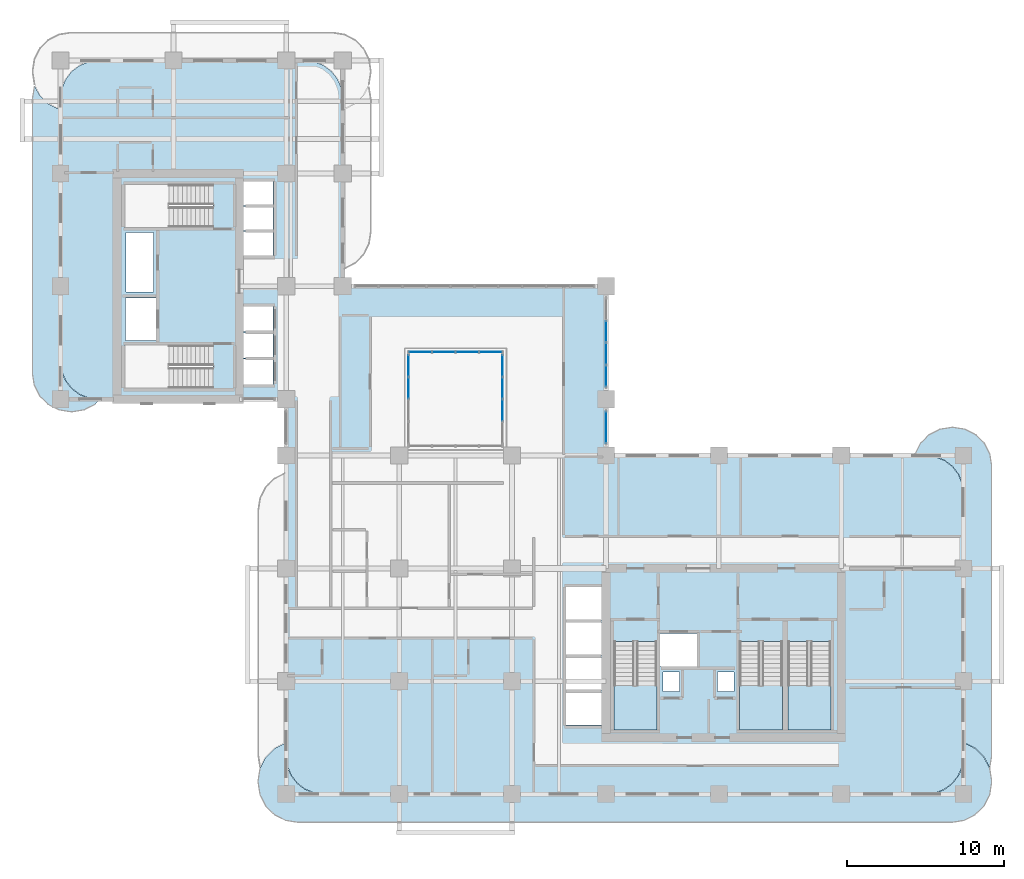
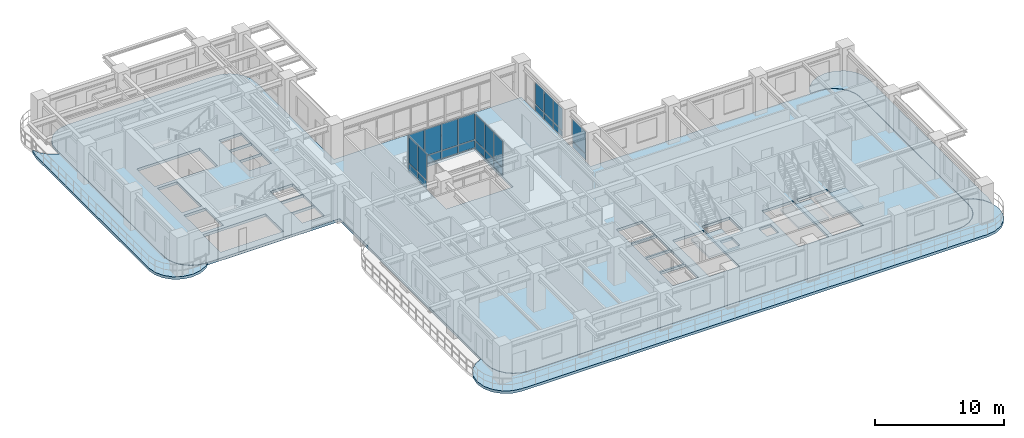
# One storey, part 10 of 22: 26 plates, 7 slabs, 8 elements without a shape of their own.
"""IFC4 building model written with IfcOpenShell, lengths in metres."""

from ifc_helpers import new_model, si_unit, derived_unit, direction, frame, origin, origin_2d, place, context, subcontext, project, spatial, polyline, rectangle, outline, extrude, source, transform, mapped, material, layer, layer_set, type_object, element, aggregate, save


model = new_model("IFC4")

# Units and contexts
model_context = context("Model", 3, precision=1e-05, world=origin(), true_north=direction((0.0, 1.0)))
body_context = subcontext(model_context, "Body", "Model", "MODEL_VIEW")
ifc_project = project(units=[si_unit("LENGTHUNIT", "METRE"), si_unit("AREAUNIT", "SQUARE_METRE"), si_unit("VOLUMEUNIT", "CUBIC_METRE"), si_unit("PLANEANGLEUNIT", "RADIAN"), si_unit("MASSUNIT", "GRAM", prefix="KILO"), si_unit("THERMODYNAMICTEMPERATUREUNIT", "KELVIN"), si_unit("POWERUNIT", "WATT"), derived_unit("THERMALTRANSMITTANCEUNIT", [(si_unit("POWERUNIT", "WATT"), 1), (si_unit("AREAUNIT", "SQUARE_METRE"), -1), (si_unit("THERMODYNAMICTEMPERATUREUNIT", "KELVIN"), -1)])], contexts=[model_context])

# Site, building, storey
site_placement = place(None, origin())
site = spatial("IfcSite", under=ifc_project, at=site_placement, CompositionType="ELEMENT")
building_placement = place(site_placement, origin())
building = spatial("IfcBuilding", under=site, at=building_placement, Name="Zahravan Archway Hotel and Residences", CompositionType="ELEMENT")
storey_placement = place(building_placement, frame((0.0, 0.0, 87.89990234375)))
storey = spatial("IfcBuildingStorey", under=building, at=storey_placement, Name="L21", CompositionType="ELEMENT", Elevation=87.89990234375)

# Slabs
ifc_material_1 = material(Name="Concrete C45/55", Category="concrete")
ifc_layer_1 = layer(ifc_material_1, 0.25, Name="Concrete C45/55", Category="concrete")
ifc_layer_set_1 = layer_set([ifc_layer_1], Name="Concrete C45/55")
slab_type_1 = type_object("IfcSlabType", Name="SLB-BALC-250", PredefinedType="FLOOR", material=ifc_layer_set_1)
slab_1_placement = place(storey_placement, frame((0.0, 0.0, -0.25)))
element("IfcSlab", 1, at=slab_1_placement, inside=storey, type_object=slab_type_1, Name="L21 Wing A South Rounded Balcony Band", PredefinedType="FLOOR", context=body_context, shape_type="SweptSolid", body=[
    extrude(outline(polyline([(57.637939453125, 3.275146484375), (58.348876953125, 2.9130859375), (58.9130859375, 2.348876953125), (59.275146484375, 1.637939453125), (59.39990234375, 0.85009765625), (59.39990234375, 0.75), (59.275146484375, -0.0380859375), (58.9130859375, -0.748779296875), (58.348876953125, -1.31298828125), (57.637939453125, -1.67529296875), (56.85009765625, -1.800048828125), (15.14990234375, -1.800048828125), (14.362060546875, -1.67529296875), (13.651123046875, -1.31298828125), (13.0869140625, -0.748779296875), (12.724853515625, -0.0380859375), (12.60009765625, 0.75), (12.60009765625, 0.85009765625), (12.724853515625, 1.637939453125), (13.0869140625, 2.348876953125), (13.651123046875, 2.9130859375), (14.362060546875, 3.275146484375), (14.3798828125, 3.278076171875), (14.3798828125, 2.39990234375), (14.380126953125, 2.3974609375), (14.4619140625, 1.776123046875), (14.46240234375, 1.7744140625), (14.462646484375, 1.772705078125), (14.46337890625, 1.77099609375), (14.702880859375, 1.1923828125), (14.703857421875, 1.19091796875), (14.70458984375, 1.189208984375), (14.70556640625, 1.187744140625), (15.0869140625, 0.690673828125), (15.088134765625, 0.689453125), (15.08935546875, 0.688232421875), (15.0908203125, 0.68701171875), (15.587890625, 0.3056640625), (15.58935546875, 0.3046875), (15.5908203125, 0.3037109375), (15.59228515625, 0.302978515625), (16.171142578125, 0.063232421875), (16.1728515625, 0.062744140625), (16.174560546875, 0.062255859375), (16.17626953125, 0.06201171875), (16.79736328125, -0.019775390625), (16.800048828125, -0.02001953125), (55.199951171875, -0.02001953125), (55.20263671875, -0.019775390625), (55.82373046875, 0.06201171875), (55.825439453125, 0.062255859375), (55.8271484375, 0.062744140625), (55.828857421875, 0.063232421875), (56.40771484375, 0.302978515625), (56.4091796875, 0.3037109375), (56.41064453125, 0.3046875), (56.412109375, 0.3056640625), (56.9091796875, 0.68701171875), (56.91064453125, 0.688232421875), (56.911865234375, 0.689453125), (56.9130859375, 0.690673828125), (57.29443359375, 1.187744140625), (57.29541015625, 1.189208984375), (57.296142578125, 1.19091796875), (57.297119140625, 1.1923828125), (57.53662109375, 1.77099609375), (57.537353515625, 1.772705078125), (57.53759765625, 1.7744140625), (57.5380859375, 1.776123046875), (57.619873046875, 2.3974609375), (57.6201171875, 2.39990234375), (57.6201171875, 3.278076171875), (57.637939453125, 3.275146484375)])), origin(), (0.0, 0.0, 1.0), 0.25),
])
slab_2_placement = place(storey_placement, frame((0.0, 0.0, -0.25)))
element("IfcSlab", 2, at=slab_2_placement, inside=storey, type_object=slab_type_1, Name="L21 Wing A East Rounded Balcony Band", PredefinedType="FLOOR", context=body_context, shape_type="SweptSolid", body=[
    extrude(outline(polyline([(54.52001953125, 21.70703125), (54.867919921875, 22.39013671875), (55.409912109375, 22.93212890625), (56.093017578125, 23.280029296875), (56.85009765625, 23.39990234375), (56.949951171875, 23.39990234375), (57.70703125, 23.280029296875), (58.39013671875, 22.93212890625), (58.93212890625, 22.39013671875), (59.280029296875, 21.70703125), (59.39990234375, 20.949951171875), (59.39990234375, 2.449951171875), (59.280029296875, 1.69287109375), (59.27490234375, 1.6826171875), (58.930908203125, 2.35791015625), (58.9296875, 2.35986328125), (58.928466796875, 2.361572265625), (58.927001953125, 2.363037109375), (58.363037109375, 2.927001953125), (58.361572265625, 2.928466796875), (58.35986328125, 2.9296875), (58.35791015625, 2.930908203125), (57.647216796875, 3.29296875), (57.645263671875, 3.2939453125), (57.643310546875, 3.29443359375), (57.64111328125, 3.294921875), (57.623046875, 3.2978515625), (57.62109375, 3.298095703125), (57.6201171875, 3.298095703125), (57.6201171875, 19.199951171875), (57.619873046875, 19.20263671875), (57.5380859375, 19.82373046875), (57.53759765625, 19.825439453125), (57.537353515625, 19.8271484375), (57.53662109375, 19.828857421875), (57.297119140625, 20.40771484375), (57.296142578125, 20.4091796875), (57.29541015625, 20.41064453125), (57.29443359375, 20.412109375), (56.9130859375, 20.9091796875), (56.911865234375, 20.91064453125), (56.91064453125, 20.911865234375), (56.9091796875, 20.9130859375), (56.412109375, 21.29443359375), (56.41064453125, 21.29541015625), (56.4091796875, 21.296142578125), (56.40771484375, 21.297119140625), (55.828857421875, 21.53662109375), (55.8271484375, 21.537353515625), (55.825439453125, 21.53759765625), (55.82373046875, 21.5380859375), (55.20263671875, 21.619873046875), (55.199951171875, 21.6201171875), (54.506103515625, 21.6201171875), (54.52001953125, 21.70703125)])), origin(), (0.0, 0.0, 1.0), 0.25),
])
slab_3_placement = place(storey_placement, frame((0.0, 0.0, -0.25)))
element("IfcSlab", 3, at=slab_3_placement, inside=storey, type_object=slab_type_1, Name="L21 Wing B West Rounded Balcony Band", PredefinedType="FLOOR", context=body_context, shape_type="SweptSolid", body=[
    extrude(outline(polyline([(2.190185546875, 24.867919921875), (1.507080078125, 24.52001953125), (0.75, 24.39990234375), (0.64990234375, 24.39990234375), (-0.107177734375, 24.52001953125), (-0.7900390625, 24.867919921875), (-1.33203125, 25.409912109375), (-1.68017578125, 26.093017578125), (-1.800048828125, 26.85009765625), (-1.800048828125, 44.35009765625), (-1.68017578125, 45.107177734375), (-1.64404296875, 45.177978515625), (-1.349853515625, 44.600830078125), (-1.348876953125, 44.59912109375), (-1.34765625, 44.597412109375), (-1.34619140625, 44.595703125), (-0.80419921875, 44.0537109375), (-0.802734375, 44.052490234375), (-0.801025390625, 44.051025390625), (-0.79931640625, 44.050048828125), (-0.1162109375, 43.7021484375), (-0.1142578125, 43.701171875), (-0.1123046875, 43.70068359375), (-0.110107421875, 43.7001953125), (-0.023193359375, 43.686279296875), (-0.021240234375, 43.68603515625), (-0.02001953125, 43.68603515625), (-0.02001953125, 27.60009765625), (-0.019775390625, 27.597412109375), (0.06201171875, 26.976318359375), (0.062255859375, 26.974609375), (0.062744140625, 26.972900390625), (0.063232421875, 26.97119140625), (0.302978515625, 26.392333984375), (0.3037109375, 26.390869140625), (0.3046875, 26.389404296875), (0.3056640625, 26.3876953125), (0.68701171875, 25.890625), (0.688232421875, 25.889404296875), (0.689453125, 25.88818359375), (0.690673828125, 25.886962890625), (1.187744140625, 25.505615234375), (1.189208984375, 25.504638671875), (1.19091796875, 25.50390625), (1.1923828125, 25.5029296875), (1.77099609375, 25.26318359375), (1.772705078125, 25.2626953125), (1.7744140625, 25.26220703125), (1.776123046875, 25.261962890625), (2.3974609375, 25.18017578125), (2.39990234375, 25.179931640625), (2.502197265625, 25.179931640625), (2.190185546875, 24.867919921875)])), origin(), (0.0, 0.0, 1.0), 0.25),
])
ifc_layer_2 = layer(ifc_material_1, 0.25, Name="Concrete C45/55", Category="concrete")
ifc_layer_set_2 = layer_set([ifc_layer_2], Name="Concrete C45/55")
slab_type_2 = type_object("IfcSlabType", Name="SLB-FLR-250", PredefinedType="FLOOR", material=ifc_layer_set_2)
slab_4_placement = place(storey_placement, frame((0.0, 0.0, -0.25)))
element("IfcSlab", 4, at=slab_4_placement, inside=storey, type_object=slab_type_2, Name="L21 Floor Slab LB", PredefinedType="FLOOR", context=body_context, shape_type="SweptSolid", body=[
    extrude(outline(polyline([(34.800048828125, 21.60009765625), (34.800048828125, 32.39990234375), (18.0, 32.39990234375), (18.0, 44.39990234375), (17.918212890625, 45.021240234375), (17.678466796875, 45.60009765625), (17.297119140625, 46.09716796875), (16.800048828125, 46.478515625), (16.22119140625, 46.71826171875), (15.60009765625, 46.800048828125), (2.39990234375, 46.800048828125), (1.77880859375, 46.71826171875), (1.199951171875, 46.478515625), (0.702880859375, 46.09716796875), (0.321533203125, 45.60009765625), (0.081787109375, 45.021240234375), (0.0, 44.39990234375), (0.0, 27.60009765625), (0.081787109375, 26.978759765625), (0.321533203125, 26.39990234375), (0.702880859375, 25.90283203125), (1.199951171875, 25.521484375), (1.77880859375, 25.28173828125), (2.39990234375, 25.199951171875), (14.39990234375, 25.199951171875), (14.39990234375, 19.199951171875), (14.39990234375, 19.10009765625), (14.39990234375, 2.39990234375), (14.481689453125, 1.77880859375), (14.721435546875, 1.199951171875), (15.102783203125, 0.702880859375), (15.60009765625, 0.321533203125), (16.1787109375, 0.081787109375), (16.800048828125, 0.0), (55.199951171875, 0.0), (55.8212890625, 0.081787109375), (56.39990234375, 0.321533203125), (56.897216796875, 0.702880859375), (57.278564453125, 1.199951171875), (57.518310546875, 1.77880859375), (57.60009765625, 2.39990234375), (57.60009765625, 19.199951171875), (57.518310546875, 19.8212890625), (57.278564453125, 20.39990234375), (56.897216796875, 20.897216796875), (56.39990234375, 21.278564453125), (55.8212890625, 21.518310546875), (55.199951171875, 21.60009765625), (34.800048828125, 21.60009765625)]), holes=[polyline([(35.300048828125, 9.72998046875), (35.300048828125, 4.10009765625), (38.0400390625, 4.10009765625), (38.0400390625, 9.72998046875), (35.300048828125, 9.72998046875)]), polyline([(43.320068359375, 9.72998046875), (43.320068359375, 4.10009765625), (46.06005859375, 4.10009765625), (46.06005859375, 9.72998046875), (43.320068359375, 9.72998046875)]), polyline([(46.39990234375, 9.72998046875), (46.39990234375, 4.10009765625), (49.139892578125, 4.10009765625), (49.139892578125, 9.72998046875), (46.39990234375, 9.72998046875)]), polyline([(9.72998046875, 28.639892578125), (4.10009765625, 28.639892578125), (4.10009765625, 25.89990234375), (9.72998046875, 25.89990234375), (9.72998046875, 28.639892578125)]), polyline([(9.72998046875, 38.89990234375), (4.10009765625, 38.89990234375), (4.10009765625, 36.159912109375), (9.72998046875, 36.159912109375), (9.72998046875, 38.89990234375)]), polyline([(38.179931640625, 8.14990234375), (40.699951171875, 8.14990234375), (40.699951171875, 10.25), (38.179931640625, 10.25), (38.179931640625, 8.14990234375)]), polyline([(4.14990234375, 28.949951171875), (6.10009765625, 28.949951171875), (6.10009765625, 31.64990234375), (4.14990234375, 31.64990234375), (4.14990234375, 28.949951171875)]), polyline([(11.550048828125, 26.14990234375), (13.550048828125, 26.14990234375), (13.550048828125, 27.75), (11.550048828125, 27.75), (11.550048828125, 26.14990234375)]), polyline([(11.550048828125, 27.830078125), (13.550048828125, 27.830078125), (13.550048828125, 29.429931640625), (11.550048828125, 29.429931640625), (11.550048828125, 27.830078125)]), polyline([(11.550048828125, 29.510009765625), (13.550048828125, 29.510009765625), (13.550048828125, 31.110107421875), (11.550048828125, 31.110107421875), (11.550048828125, 29.510009765625)]), polyline([(11.550048828125, 34.35009765625), (13.550048828125, 34.35009765625), (13.550048828125, 35.889892578125), (11.550048828125, 35.889892578125), (11.550048828125, 34.35009765625)]), polyline([(11.550048828125, 35.949951171875), (13.550048828125, 35.949951171875), (13.550048828125, 37.489990234375), (11.550048828125, 37.489990234375), (11.550048828125, 35.949951171875)]), polyline([(11.550048828125, 37.550048828125), (13.550048828125, 37.550048828125), (13.550048828125, 39.090087890625), (11.550048828125, 39.090087890625), (11.550048828125, 37.550048828125)]), polyline([(32.25, 4.39990234375), (34.550048828125, 4.39990234375), (34.550048828125, 6.47998046875), (32.25, 6.47998046875), (32.25, 4.39990234375)]), polyline([(32.25, 6.639892578125), (34.550048828125, 6.639892578125), (34.550048828125, 8.719970703125), (32.25, 8.719970703125), (32.25, 6.639892578125)]), polyline([(32.25, 8.8798828125), (34.550048828125, 8.8798828125), (34.550048828125, 10.9599609375), (32.25, 10.9599609375), (32.25, 8.8798828125)]), polyline([(32.25, 11.1201171875), (34.550048828125, 11.1201171875), (34.550048828125, 13.199951171875), (32.25, 13.199951171875), (32.25, 11.1201171875)]), polyline([(22.199951171875, 22.199951171875), (28.199951171875, 22.199951171875), (28.199951171875, 28.199951171875), (22.199951171875, 28.199951171875), (22.199951171875, 22.199951171875)]), polyline([(38.419921875, 6.56005859375), (39.5, 6.56005859375), (39.5, 7.780029296875), (38.419921875, 7.780029296875), (38.419921875, 6.56005859375)]), polyline([(41.89990234375, 6.56005859375), (42.9599609375, 6.56005859375), (42.9599609375, 7.780029296875), (41.89990234375, 7.780029296875), (41.89990234375, 6.56005859375)]), polyline([(4.179931640625, 32.050048828125), (5.93994140625, 32.050048828125), (5.93994140625, 35.840087890625), (4.179931640625, 35.840087890625), (4.179931640625, 32.050048828125)])]), origin(), (0.0, 0.0, 1.0), 0.25),
])

# Stair, slab
ifc_material_2 = material(Name="Concrete C50/60", Category="concrete")
stair_type = type_object("IfcStairType", Name="STR-CORE-1300", PredefinedType="HALF_TURN_STAIR", material=ifc_material_2)
stair_1_placement = place(storey_placement, origin())
stair_1 = element("IfcStair", 5, at=stair_1_placement, inside=storey, type_object=stair_type, Name="L21 Core A Exit Stair 1", PredefinedType="HALF_TURN_STAIR")
ifc_layer_3 = layer(ifc_material_2, 0.199951171875, Name="Concrete C50/60", Category="concrete")
ifc_layer_set_3 = layer_set([ifc_layer_3], Name="Concrete C50/60")
slab_type_3 = type_object("IfcSlabType", Name="SLB-LND-200", PredefinedType="LANDING", material=ifc_layer_set_3)
slab_5_placement = place(storey_placement, frame((0.0, 0.0, 1.650146484375)))
slab_5 = element("IfcSlab", 6, at=slab_5_placement, type_object=slab_type_3, Name="ST-A1 landing 1", PredefinedType="LANDING", context=body_context, shape_type="SweptSolid", body=[
    extrude(outline(polyline([(35.300048828125, 6.929931640625), (35.300048828125, 4.10009765625), (38.0400390625, 4.10009765625), (38.0400390625, 6.929931640625), (35.300048828125, 6.929931640625)])), origin(), (0.0, 0.0, 1.0), 0.199951171875),
])
aggregate(stair_1, [slab_5])

stair_2_placement = place(storey_placement, origin())
stair_2 = element("IfcStair", 7, at=stair_2_placement, inside=storey, type_object=stair_type, Name="L21 Core A Exit Stair 2", PredefinedType="HALF_TURN_STAIR")
slab_6_placement = place(storey_placement, frame((0.0, 0.0, 1.650146484375)))
slab_6 = element("IfcSlab", 8, at=slab_6_placement, type_object=slab_type_3, Name="ST-A2 landing 1", PredefinedType="LANDING", context=body_context, shape_type="SweptSolid", body=[
    extrude(outline(polyline([(43.320068359375, 6.929931640625), (43.320068359375, 4.10009765625), (46.06005859375, 4.10009765625), (46.06005859375, 6.929931640625), (43.320068359375, 6.929931640625)])), origin(), (0.0, 0.0, 1.0), 0.199951171875),
])
aggregate(stair_2, [slab_6])

stair_3_placement = place(storey_placement, origin())
stair_3 = element("IfcStair", 9, at=stair_3_placement, inside=storey, type_object=stair_type, Name="L21 Core A Exit Stair 3", PredefinedType="HALF_TURN_STAIR")
slab_7_placement = place(storey_placement, frame((0.0, 0.0, 1.650146484375)))
slab_7 = element("IfcSlab", 10, at=slab_7_placement, type_object=slab_type_3, Name="ST-A3 landing 1", PredefinedType="LANDING", context=body_context, shape_type="SweptSolid", body=[
    extrude(outline(polyline([(46.39990234375, 6.929931640625), (46.39990234375, 4.10009765625), (49.139892578125, 4.10009765625), (49.139892578125, 6.929931640625), (46.39990234375, 6.929931640625)])), origin(), (0.0, 0.0, 1.0), 0.199951171875),
])
aggregate(stair_3, [slab_7])

# Curtain wall, plates
ifc_material_3 = material(Name="Bronze-Anodized Unitised Aluminium & Low-E Glass", Category="aluminium")
ifc_layer_4 = layer(ifc_material_3, 0.179931640625, Name="Bronze-Anodized Unitised Aluminium & Low-E Glass", Category="aluminium")
ifc_layer_set_4 = layer_set([ifc_layer_4], Name="Bronze-Anodized Unitised Aluminium & Low-E Glass")
curtain_wall_type = type_object("IfcCurtainWallType", Name="CW-ATR-GLAZ", PredefinedType="NOTDEFINED", material=ifc_layer_set_4)
curtain_wall_1_placement = place(storey_placement, origin())
curtain_wall_1 = element("IfcCurtainWall", 11, at=curtain_wall_1_placement, inside=storey, type_object=curtain_wall_type, Name="L21 Curtain Wall CW-L21-HNG-E-2", PredefinedType="NOTDEFINED")
ifc_material_4 = material(Name="Insulated Terracotta Spandrel Panel", Category="masonry")
ifc_layer_5 = layer(ifc_material_4, 0.0400390625, Name="Insulated Terracotta Spandrel Panel", Category="masonry")
ifc_layer_set_5 = layer_set([ifc_layer_5], Name="Insulated Terracotta Spandrel Panel")
plate_type_1 = type_object("IfcPlateType", Name="CWP-SPN-40", PredefinedType="SHEET", material=ifc_layer_set_5)
shared_shape_1 = source(origin(), body_context, "Body", "SweptSolid", [
    extrude(rectangle(XDim=1.340087890625, YDim=0.0400390625, at=origin_2d()), origin(), (0.0, 0.0, 1.0), 0.552490234375),
])
plate_1_placement = place(storey_placement, frame((34.800048828125, 26.669921875, 0.10009765625), z_axis=(0.0, 0.0, 1.0), x_axis=(0.0, 1.0, 0.0)))
plate_1 = element("IfcPlate", 12, at=plate_1_placement, type_object=plate_type_1, Name="CW-L21-HNG-E-2 Spandrel Panel 0", PredefinedType="SHEET", context=body_context, shape_type="MappedRepresentation", body=[
    mapped(shared_shape_1, transform((0.0, 0.0, 0.0), scale=1.0)),
])
plate_2_placement = place(storey_placement, frame((34.800048828125, 28.090087890625, 0.10009765625), z_axis=(0.0, 0.0, 1.0), x_axis=(0.0, 1.0, 0.0)))
plate_2 = element("IfcPlate", 13, at=plate_2_placement, type_object=plate_type_1, Name="CW-L21-HNG-E-2 Spandrel Panel 1", PredefinedType="SHEET", context=body_context, shape_type="MappedRepresentation", body=[
    mapped(shared_shape_1, transform((0.0, 0.0, 0.0), scale=1.0)),
])
plate_3_placement = place(storey_placement, frame((34.800048828125, 29.510009765625, 0.10009765625), z_axis=(0.0, 0.0, 1.0), x_axis=(0.0, 1.0, 0.0)))
plate_3 = element("IfcPlate", 14, at=plate_3_placement, type_object=plate_type_1, Name="CW-L21-HNG-E-2 Spandrel Panel 2", PredefinedType="SHEET", context=body_context, shape_type="MappedRepresentation", body=[
    mapped(shared_shape_1, transform((0.0, 0.0, 0.0), scale=1.0)),
])
ifc_material_5 = material(Name="Double-Silver Low-E Insulated Vision Glass", Category="glass")
ifc_layer_6 = layer(ifc_material_5, 0.028076171875, Name="Double-Silver Low-E Insulated Vision Glass", Category="glass")
ifc_layer_set_6 = layer_set([ifc_layer_6], Name="Double-Silver Low-E Insulated Vision Glass")
plate_type_2 = type_object("IfcPlateType", Name="CWP-GLZ-28", PredefinedType="CURTAIN_PANEL", material=ifc_layer_set_6)
shared_shape_2 = source(origin(), body_context, "Body", "SweptSolid", [
    extrude(rectangle(XDim=1.340087890625, YDim=0.028076171875, at=origin_2d()), origin(), (0.0, 0.0, 1.0), 2.052490234375),
])
plate_4_placement = place(storey_placement, frame((34.800048828125, 26.669921875, 0.732421875), z_axis=(0.0, 0.0, 1.0), x_axis=(0.0, 1.0, 0.0)))
plate_4 = element("IfcPlate", 15, at=plate_4_placement, type_object=plate_type_2, Name="CW-L21-HNG-E-2 Low-E Vision Panel 0", PredefinedType="CURTAIN_PANEL", context=body_context, shape_type="MappedRepresentation", body=[
    mapped(shared_shape_2, transform((0.0, 0.0, 0.0), scale=1.0)),
])
plate_5_placement = place(storey_placement, frame((34.800048828125, 28.090087890625, 0.732421875), z_axis=(0.0, 0.0, 1.0), x_axis=(0.0, 1.0, 0.0)))
plate_5 = element("IfcPlate", 16, at=plate_5_placement, type_object=plate_type_2, Name="CW-L21-HNG-E-2 Low-E Vision Panel 1", PredefinedType="CURTAIN_PANEL", context=body_context, shape_type="MappedRepresentation", body=[
    mapped(shared_shape_2, transform((0.0, 0.0, 0.0), scale=1.0)),
])
plate_6_placement = place(storey_placement, frame((34.800048828125, 29.510009765625, 0.732421875), z_axis=(0.0, 0.0, 1.0), x_axis=(0.0, 1.0, 0.0)))
plate_6 = element("IfcPlate", 17, at=plate_6_placement, type_object=plate_type_2, Name="CW-L21-HNG-E-2 Low-E Vision Panel 2", PredefinedType="CURTAIN_PANEL", context=body_context, shape_type="MappedRepresentation", body=[
    mapped(shared_shape_2, transform((0.0, 0.0, 0.0), scale=1.0)),
])
aggregate(curtain_wall_1, [plate_1, plate_4, plate_2, plate_5, plate_3, plate_6])

curtain_wall_2_placement = place(storey_placement, origin())
curtain_wall_2 = element("IfcCurtainWall", 18, at=curtain_wall_2_placement, inside=storey, type_object=curtain_wall_type, Name="L21 Curtain Wall CW-L21-HNG-E-1", PredefinedType="NOTDEFINED")
shared_shape_3 = source(origin(), body_context, "Body", "SweptSolid", [
    extrude(rectangle(XDim=2.0, YDim=0.0400390625, at=origin_2d()), origin(), (0.0, 0.0, 1.0), 0.552490234375),
])
plate_7_placement = place(storey_placement, frame((34.800048828125, 23.39990234375, 0.10009765625), z_axis=(0.0, 0.0, 1.0), x_axis=(0.0, 1.0, 0.0)))
plate_7 = element("IfcPlate", 19, at=plate_7_placement, type_object=plate_type_1, Name="CW-L21-HNG-E-1 Spandrel Panel 0", PredefinedType="SHEET", context=body_context, shape_type="MappedRepresentation", body=[
    mapped(shared_shape_3, transform((0.0, 0.0, 0.0), scale=1.0)),
])
shared_shape_4 = source(origin(), body_context, "Body", "SweptSolid", [
    extrude(rectangle(XDim=2.0, YDim=0.028076171875, at=origin_2d()), origin(), (0.0, 0.0, 1.0), 2.052490234375),
])
plate_8_placement = place(storey_placement, frame((34.800048828125, 23.39990234375, 0.732421875), z_axis=(0.0, 0.0, 1.0), x_axis=(0.0, 1.0, 0.0)))
plate_8 = element("IfcPlate", 20, at=plate_8_placement, type_object=plate_type_2, Name="CW-L21-HNG-E-1 Low-E Vision Panel 0", PredefinedType="CURTAIN_PANEL", context=body_context, shape_type="MappedRepresentation", body=[
    mapped(shared_shape_4, transform((0.0, 0.0, 0.0), scale=1.0)),
])
aggregate(curtain_wall_2, [plate_7, plate_8])

curtain_wall_3_placement = place(storey_placement, origin())
curtain_wall_3 = element("IfcCurtainWall", 21, at=curtain_wall_3_placement, inside=storey, type_object=curtain_wall_type, Name="L21 Curtain Wall CW-ATR-L21-N-1", PredefinedType="NOTDEFINED")
shared_shape_5 = source(origin(), body_context, "Body", "SweptSolid", [
    extrude(rectangle(XDim=1.419921875, YDim=0.0400390625, at=origin_2d()), origin(), (0.0, 0.0, 1.0), 0.68798828125),
])
plate_9_placement = place(storey_placement, frame((22.949951171875, 28.199951171875, 0.10009765625), z_axis=(0.0, 0.0, 1.0), x_axis=(1.0, 0.0, 0.0)))
plate_9 = element("IfcPlate", 22, at=plate_9_placement, type_object=plate_type_1, Name="CW-ATR-L21-N-1 Spandrel Panel 0", PredefinedType="SHEET", context=body_context, shape_type="MappedRepresentation", body=[
    mapped(shared_shape_5, transform((0.0, 0.0, 0.0), scale=1.0)),
])
plate_10_placement = place(storey_placement, frame((24.449951171875, 28.199951171875, 0.10009765625), z_axis=(0.0, 0.0, 1.0), x_axis=(1.0, 0.0, 0.0)))
plate_10 = element("IfcPlate", 23, at=plate_10_placement, type_object=plate_type_1, Name="CW-ATR-L21-N-1 Spandrel Panel 1", PredefinedType="SHEET", context=body_context, shape_type="MappedRepresentation", body=[
    mapped(shared_shape_5, transform((0.0, 0.0, 0.0), scale=1.0)),
])
plate_11_placement = place(storey_placement, frame((25.949951171875, 28.199951171875, 0.10009765625), z_axis=(0.0, 0.0, 1.0), x_axis=(1.0, 0.0, 0.0)))
plate_11 = element("IfcPlate", 24, at=plate_11_placement, type_object=plate_type_1, Name="CW-ATR-L21-N-1 Spandrel Panel 2", PredefinedType="SHEET", context=body_context, shape_type="MappedRepresentation", body=[
    mapped(shared_shape_5, transform((0.0, 0.0, 0.0), scale=1.0)),
])
plate_12_placement = place(storey_placement, frame((27.449951171875, 28.199951171875, 0.10009765625), z_axis=(0.0, 0.0, 1.0), x_axis=(1.0, 0.0, 0.0)))
plate_12 = element("IfcPlate", 25, at=plate_12_placement, type_object=plate_type_1, Name="CW-ATR-L21-N-1 Spandrel Panel 3", PredefinedType="SHEET", context=body_context, shape_type="MappedRepresentation", body=[
    mapped(shared_shape_5, transform((0.0, 0.0, 0.0), scale=1.0)),
])
shared_shape_6 = source(origin(), body_context, "Body", "SweptSolid", [
    extrude(rectangle(XDim=1.419921875, YDim=0.028076171875, at=origin_2d()), origin(), (0.0, 0.0, 1.0), 2.48193359375),
])
plate_13_placement = place(storey_placement, frame((22.949951171875, 28.199951171875, 0.8681640625), z_axis=(0.0, 0.0, 1.0), x_axis=(1.0, 0.0, 0.0)))
plate_13 = element("IfcPlate", 26, at=plate_13_placement, type_object=plate_type_2, Name="CW-ATR-L21-N-1 Low-E Vision Panel 0", PredefinedType="CURTAIN_PANEL", context=body_context, shape_type="MappedRepresentation", body=[
    mapped(shared_shape_6, transform((0.0, 0.0, 0.0), scale=1.0)),
])
plate_14_placement = place(storey_placement, frame((24.449951171875, 28.199951171875, 0.8681640625), z_axis=(0.0, 0.0, 1.0), x_axis=(1.0, 0.0, 0.0)))
plate_14 = element("IfcPlate", 27, at=plate_14_placement, type_object=plate_type_2, Name="CW-ATR-L21-N-1 Low-E Vision Panel 1", PredefinedType="CURTAIN_PANEL", context=body_context, shape_type="MappedRepresentation", body=[
    mapped(shared_shape_6, transform((0.0, 0.0, 0.0), scale=1.0)),
])
plate_15_placement = place(storey_placement, frame((25.949951171875, 28.199951171875, 0.8681640625), z_axis=(0.0, 0.0, 1.0), x_axis=(1.0, 0.0, 0.0)))
plate_15 = element("IfcPlate", 28, at=plate_15_placement, type_object=plate_type_2, Name="CW-ATR-L21-N-1 Low-E Vision Panel 2", PredefinedType="CURTAIN_PANEL", context=body_context, shape_type="MappedRepresentation", body=[
    mapped(shared_shape_6, transform((0.0, 0.0, 0.0), scale=1.0)),
])
plate_16_placement = place(storey_placement, frame((27.449951171875, 28.199951171875, 0.8681640625), z_axis=(0.0, 0.0, 1.0), x_axis=(1.0, 0.0, 0.0)))
plate_16 = element("IfcPlate", 29, at=plate_16_placement, type_object=plate_type_2, Name="CW-ATR-L21-N-1 Low-E Vision Panel 3", PredefinedType="CURTAIN_PANEL", context=body_context, shape_type="MappedRepresentation", body=[
    mapped(shared_shape_6, transform((0.0, 0.0, 0.0), scale=1.0)),
])
aggregate(curtain_wall_3, [plate_9, plate_13, plate_10, plate_14, plate_11, plate_15, plate_12, plate_16])

curtain_wall_4_placement = place(storey_placement, origin())
curtain_wall_4 = element("IfcCurtainWall", 30, at=curtain_wall_4_placement, inside=storey, type_object=curtain_wall_type, Name="L21 Curtain Wall CW-ATR-L21-W-1", PredefinedType="NOTDEFINED")
shared_shape_7 = source(origin(), body_context, "Body", "SweptSolid", [
    extrude(rectangle(XDim=1.344970703125, YDim=0.0400390625, at=origin_2d()), origin(), (0.0, 0.0, 1.0), 0.68798828125),
])
plate_17_placement = place(storey_placement, frame((22.199951171875, 25.91259765625, 0.10009765625), z_axis=(0.0, 0.0, 1.0), x_axis=(0.0, 1.0, 0.0)))
plate_17 = element("IfcPlate", 31, at=plate_17_placement, type_object=plate_type_1, Name="CW-ATR-L21-W-1 Spandrel Panel 2", PredefinedType="SHEET", context=body_context, shape_type="MappedRepresentation", body=[
    mapped(shared_shape_7, transform((0.0, 0.0, 0.0), scale=1.0)),
])
plate_18_placement = place(storey_placement, frame((22.199951171875, 27.33740234375, 0.10009765625), z_axis=(0.0, 0.0, 1.0), x_axis=(0.0, 1.0, 0.0)))
plate_18 = element("IfcPlate", 32, at=plate_18_placement, type_object=plate_type_1, Name="CW-ATR-L21-W-1 Spandrel Panel 3", PredefinedType="SHEET", context=body_context, shape_type="MappedRepresentation", body=[
    mapped(shared_shape_7, transform((0.0, 0.0, 0.0), scale=1.0)),
])

curtain_wall_5_placement = place(storey_placement, origin())
curtain_wall_5 = element("IfcCurtainWall", 33, at=curtain_wall_5_placement, inside=storey, type_object=curtain_wall_type, Name="L21 Curtain Wall CW-ATR-L21-E-1", PredefinedType="NOTDEFINED")
plate_19_placement = place(storey_placement, frame((28.199951171875, 24.487548828125, 0.10009765625), z_axis=(0.0, 0.0, 1.0), x_axis=(0.0, 1.0, 0.0)))
plate_19 = element("IfcPlate", 34, at=plate_19_placement, type_object=plate_type_1, Name="CW-ATR-L21-E-1 Spandrel Panel 1", PredefinedType="SHEET", context=body_context, shape_type="MappedRepresentation", body=[
    mapped(shared_shape_7, transform((0.0, 0.0, 0.0), scale=1.0)),
])
plate_20_placement = place(storey_placement, frame((28.199951171875, 25.91259765625, 0.10009765625), z_axis=(0.0, 0.0, 1.0), x_axis=(0.0, 1.0, 0.0)))
plate_20 = element("IfcPlate", 35, at=plate_20_placement, type_object=plate_type_1, Name="CW-ATR-L21-E-1 Spandrel Panel 2", PredefinedType="SHEET", context=body_context, shape_type="MappedRepresentation", body=[
    mapped(shared_shape_7, transform((0.0, 0.0, 0.0), scale=1.0)),
])
plate_21_placement = place(storey_placement, frame((28.199951171875, 27.33740234375, 0.10009765625), z_axis=(0.0, 0.0, 1.0), x_axis=(0.0, 1.0, 0.0)))
plate_21 = element("IfcPlate", 36, at=plate_21_placement, type_object=plate_type_1, Name="CW-ATR-L21-E-1 Spandrel Panel 3", PredefinedType="SHEET", context=body_context, shape_type="MappedRepresentation", body=[
    mapped(shared_shape_7, transform((0.0, 0.0, 0.0), scale=1.0)),
])

# Plate
shared_shape_8 = source(origin(), body_context, "Body", "SweptSolid", [
    extrude(rectangle(XDim=1.344970703125, YDim=0.028076171875, at=origin_2d()), origin(), (0.0, 0.0, 1.0), 2.48193359375),
])
plate_22_placement = place(storey_placement, frame((22.199951171875, 25.91259765625, 0.8681640625), z_axis=(0.0, 0.0, 1.0), x_axis=(0.0, 1.0, 0.0)))
plate_22 = element("IfcPlate", 37, at=plate_22_placement, type_object=plate_type_2, Name="CW-ATR-L21-W-1 Low-E Vision Panel 2", PredefinedType="CURTAIN_PANEL", context=body_context, shape_type="MappedRepresentation", body=[
    mapped(shared_shape_8, transform((0.0, 0.0, 0.0), scale=1.0)),
])

plate_23_placement = place(storey_placement, frame((22.199951171875, 27.33740234375, 0.8681640625), z_axis=(0.0, 0.0, 1.0), x_axis=(0.0, 1.0, 0.0)))
plate_23 = element("IfcPlate", 38, at=plate_23_placement, type_object=plate_type_2, Name="CW-ATR-L21-W-1 Low-E Vision Panel 3", PredefinedType="CURTAIN_PANEL", context=body_context, shape_type="MappedRepresentation", body=[
    mapped(shared_shape_8, transform((0.0, 0.0, 0.0), scale=1.0)),
])

aggregate(curtain_wall_4, [plate_17, plate_22, plate_18, plate_23])

plate_24_placement = place(storey_placement, frame((28.199951171875, 24.487548828125, 0.8681640625), z_axis=(0.0, 0.0, 1.0), x_axis=(0.0, 1.0, 0.0)))
plate_24 = element("IfcPlate", 39, at=plate_24_placement, type_object=plate_type_2, Name="CW-ATR-L21-E-1 Low-E Vision Panel 1", PredefinedType="CURTAIN_PANEL", context=body_context, shape_type="MappedRepresentation", body=[
    mapped(shared_shape_8, transform((0.0, 0.0, 0.0), scale=1.0)),
])

plate_25_placement = place(storey_placement, frame((28.199951171875, 25.91259765625, 0.8681640625), z_axis=(0.0, 0.0, 1.0), x_axis=(0.0, 1.0, 0.0)))
plate_25 = element("IfcPlate", 40, at=plate_25_placement, type_object=plate_type_2, Name="CW-ATR-L21-E-1 Low-E Vision Panel 2", PredefinedType="CURTAIN_PANEL", context=body_context, shape_type="MappedRepresentation", body=[
    mapped(shared_shape_8, transform((0.0, 0.0, 0.0), scale=1.0)),
])

plate_26_placement = place(storey_placement, frame((28.199951171875, 27.33740234375, 0.8681640625), z_axis=(0.0, 0.0, 1.0), x_axis=(0.0, 1.0, 0.0)))
plate_26 = element("IfcPlate", 41, at=plate_26_placement, type_object=plate_type_2, Name="CW-ATR-L21-E-1 Low-E Vision Panel 3", PredefinedType="CURTAIN_PANEL", context=body_context, shape_type="MappedRepresentation", body=[
    mapped(shared_shape_8, transform((0.0, 0.0, 0.0), scale=1.0)),
])

aggregate(curtain_wall_5, [plate_19, plate_24, plate_20, plate_25, plate_21, plate_26])

save(model, "model.ifc")
